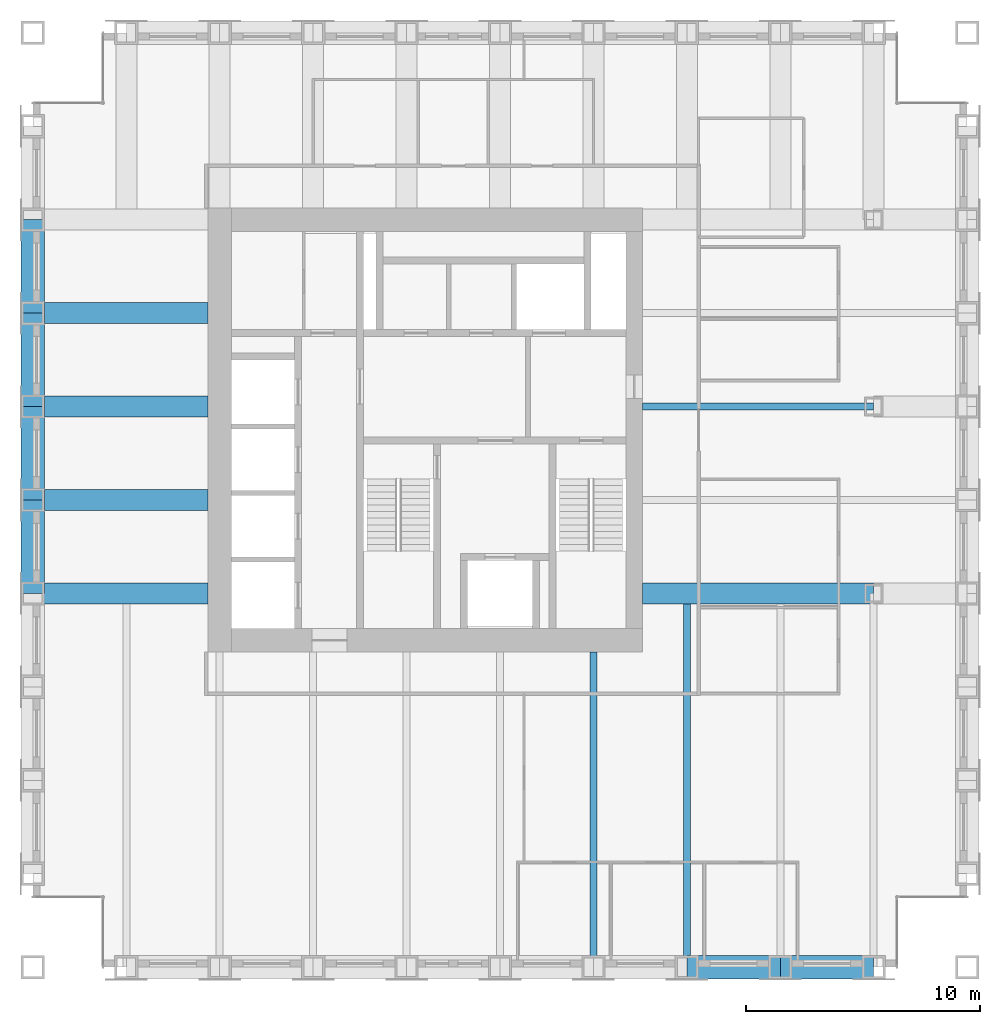
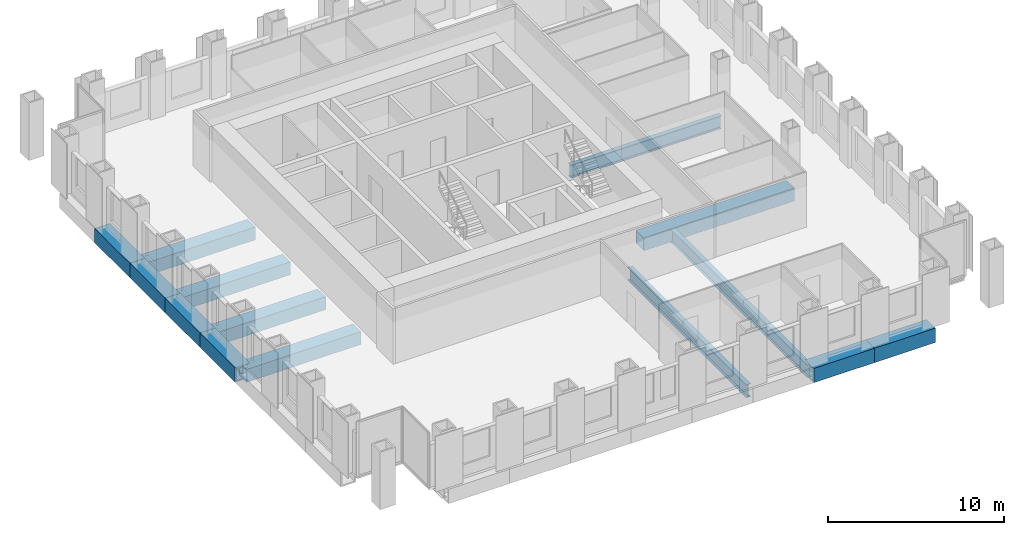
# One storey, part 3 of 11: 14 beams.
"""IFC4 building model written with IfcOpenShell, lengths in metres."""

from ifc_helpers import new_model, si_unit, direction, frame, origin, origin_2d, place, context, subcontext, project, spatial, hollow_rectangle, i_section, extrude, material, material_profile, profile_set, type_object, element, save


model = new_model("IFC4")

# Units and contexts
model_context = context("Model", 3, precision=1e-05, world=origin(), true_north=direction((0.0, 1.0)))
body_context = subcontext(model_context, "Body", "Model", "MODEL_VIEW")
ifc_project = project(units=[si_unit("LENGTHUNIT", "METRE"), si_unit("AREAUNIT", "SQUARE_METRE"), si_unit("VOLUMEUNIT", "CUBIC_METRE"), si_unit("PLANEANGLEUNIT", "RADIAN"), si_unit("MASSUNIT", "GRAM", prefix="KILO")], contexts=[model_context])

# Site, building, storey
site_placement = place(None, origin())
site = spatial("IfcSite", under=ifc_project, at=site_placement, CompositionType="ELEMENT")
building_placement = place(site_placement, origin())
building = spatial("IfcBuilding", under=site, at=building_placement, Name="Rimbunsela Tower", CompositionType="ELEMENT")
storey_placement = place(building_placement, frame((0.0, 0.0, 250.199951171875)))
storey = spatial("IfcBuildingStorey", under=building, at=storey_placement, Name="L60", CompositionType="ELEMENT", Elevation=250.199951171875)

# Beams
ifc_material_1 = material(Name="Steel BJ 55 (fy 410 MPa)", Category="steel")
ifc_material_profile_1 = material_profile(ifc_material_1, hollow_rectangle(XDim=1.0, YDim=1.0, WallThickness=0.10009765625, at=origin_2d()), Name="BOX 1000x1000x100")
ifc_profile_set_1 = profile_set([ifc_material_profile_1], Name="Steel BJ 55 (fy 410 MPa)")
beam_type_1 = type_object("IfcBeamType", Name="Beam BOX 1000x1000x100", PredefinedType="BEAM", material=ifc_profile_set_1)
for number, where, z_axis, x_axis, name in (
    (1, (10.0, 20.0, -0.64990234375), (0.0, 1.0, 0.0), (-1.0, 0.0, 0.0), "Beam B3 L60"),
    (2, (10.0, 24.0, -0.64990234375), (0.0, 1.0, 0.0), (-1.0, 0.0, 0.0), "Beam B3 L60"),
    (3, (10.0, 28.0, -0.64990234375), (0.0, 1.0, 0.0), (-1.0, 0.0, 0.0), "Beam B3 L60"),
    (4, (10.0, 32.0, -0.64990234375), (0.0, 1.0, 0.0), (-1.0, 0.0, 0.0), "Beam B3 L60"),
    (5, (38.0, 4.0, -0.64990234375), (1.0, 0.0, 0.0), (0.0, 1.0, 0.0), "Beam B3 L60"),
    (6, (42.0, 4.0, -0.64990234375), (1.0, 0.0, 0.0), (0.0, 1.0, 0.0), "Beam B3 L60"),
):
    element("IfcBeam", number, at=place(storey_placement, frame(where, z_axis=z_axis, x_axis=x_axis)), inside=storey, type_object=beam_type_1, Name=name, PredefinedType="BEAM", context=body_context, shape_type="SweptSolid", body=[
        extrude(hollow_rectangle(XDim=1.0, YDim=1.0, WallThickness=0.10009765625, at=origin_2d()), origin(), (0.0, 0.0, 1.0), 4.0),
    ])
ifc_material_2 = material(Name="Steel BJ 55 (fy 410 MPa)", Category="steel")
ifc_material_profile_2 = material_profile(ifc_material_2, hollow_rectangle(XDim=0.89990234375, YDim=0.89990234375, WallThickness=0.06005859375, at=origin_2d()), Name="BOX 900x900x60")
ifc_profile_set_2 = profile_set([ifc_material_profile_2], Name="Steel BJ 55 (fy 410 MPa)")
beam_type_2 = type_object("IfcBeamType", Name="Beam BOX 900x900x60", PredefinedType="BEAM", material=ifc_profile_set_2)
for number, where, z_axis, x_axis, name in (
    (7, (10.0, 20.0, -0.599853515625), (1.0, 0.0, 0.0), (0.0, 1.0, 0.0), "Beam B1 L60"),
    (8, (10.0, 24.0, -0.599853515625), (1.0, 0.0, 0.0), (0.0, 1.0, 0.0), "Beam B1 L60"),
    (9, (10.0, 28.0, -0.599853515625), (1.0, 0.0, 0.0), (0.0, 1.0, 0.0), "Beam B1 L60"),
    (10, (10.0, 32.0, -0.599853515625), (1.0, 0.0, 0.0), (0.0, 1.0, 0.0), "Beam B1 L60"),
):
    element("IfcBeam", number, at=place(storey_placement, frame(where, z_axis=z_axis, x_axis=x_axis)), inside=storey, type_object=beam_type_2, Name=name, PredefinedType="BEAM", context=body_context, shape_type="SweptSolid", body=[
        extrude(hollow_rectangle(XDim=0.89990234375, YDim=0.89990234375, WallThickness=0.06005859375, at=origin_2d()), origin(), (0.0, 0.0, 1.0), 7.5),
    ])
beam_1_placement = place(storey_placement, frame((36.10009765625, 20.0, -0.599853515625), z_axis=(1.0, 0.0, 0.0), x_axis=(0.0, 1.0, 0.0)))
element("IfcBeam", 11, at=beam_1_placement, inside=storey, type_object=beam_type_2, Name="Beam B1 L60", PredefinedType="BEAM", context=body_context, shape_type="SweptSolid", body=[
    extrude(hollow_rectangle(XDim=0.89990234375, YDim=0.89990234375, WallThickness=0.06005859375, at=origin_2d()), origin(), (0.0, 0.0, 1.0), 9.89990234375),
])
ifc_material_3 = material(Name="Steel BJ 55 (fy 410 MPa)", Category="steel")
ifc_material_profile_3 = material_profile(ifc_material_3, i_section(OverallWidth=0.300048828125, OverallDepth=0.89990234375, WebThickness=0.01611328125, FlangeThickness=0.028076171875, FilletRadius=0.028076171875, at=origin_2d()), Name="H 900x300x16x28")
ifc_profile_set_3 = profile_set([ifc_material_profile_3], Name="Steel BJ 55 (fy 410 MPa)")
beam_type_3 = type_object("IfcBeamType", Name="Beam H 900x300x16x28", PredefinedType="BEAM", material=ifc_profile_set_3)
beam_2_placement = place(storey_placement, frame((34.0, 4.0, -0.599853515625), z_axis=(0.0, 1.0, 0.0), x_axis=(-1.0, 0.0, 0.0)))
element("IfcBeam", 12, at=beam_2_placement, inside=storey, type_object=beam_type_3, Name="Beam B2 L60", PredefinedType="BEAM", context=body_context, shape_type="SweptSolid", body=[
    extrude(i_section(OverallWidth=0.300048828125, OverallDepth=0.89990234375, WebThickness=0.01611328125, FlangeThickness=0.028076171875, FilletRadius=0.028076171875, at=origin_2d()), origin(), (0.0, 0.0, 1.0), 13.5),
])
beam_3_placement = place(storey_placement, frame((36.10009765625, 28.0, -0.599853515625), z_axis=(1.0, 0.0, 0.0), x_axis=(0.0, 1.0, 0.0)))
element("IfcBeam", 13, at=beam_3_placement, inside=storey, type_object=beam_type_3, Name="Beam B2 L60", PredefinedType="BEAM", context=body_context, shape_type="SweptSolid", body=[
    extrude(i_section(OverallWidth=0.300048828125, OverallDepth=0.89990234375, WebThickness=0.01611328125, FlangeThickness=0.028076171875, FilletRadius=0.028076171875, at=origin_2d()), origin(), (0.0, 0.0, 1.0), 9.89990234375),
])
beam_4_placement = place(storey_placement, frame((38.0, 4.0, -0.599853515625), z_axis=(0.0, 1.0, 0.0), x_axis=(-1.0, 0.0, 0.0)))
element("IfcBeam", 14, at=beam_4_placement, inside=storey, type_object=beam_type_3, Name="Beam B2 L60", PredefinedType="BEAM", context=body_context, shape_type="SweptSolid", body=[
    extrude(i_section(OverallWidth=0.300048828125, OverallDepth=0.89990234375, WebThickness=0.01611328125, FlangeThickness=0.028076171875, FilletRadius=0.028076171875, at=origin_2d()), origin(), (0.0, 0.0, 1.0), 15.550048828125),
])

save(model, "model.ifc")
